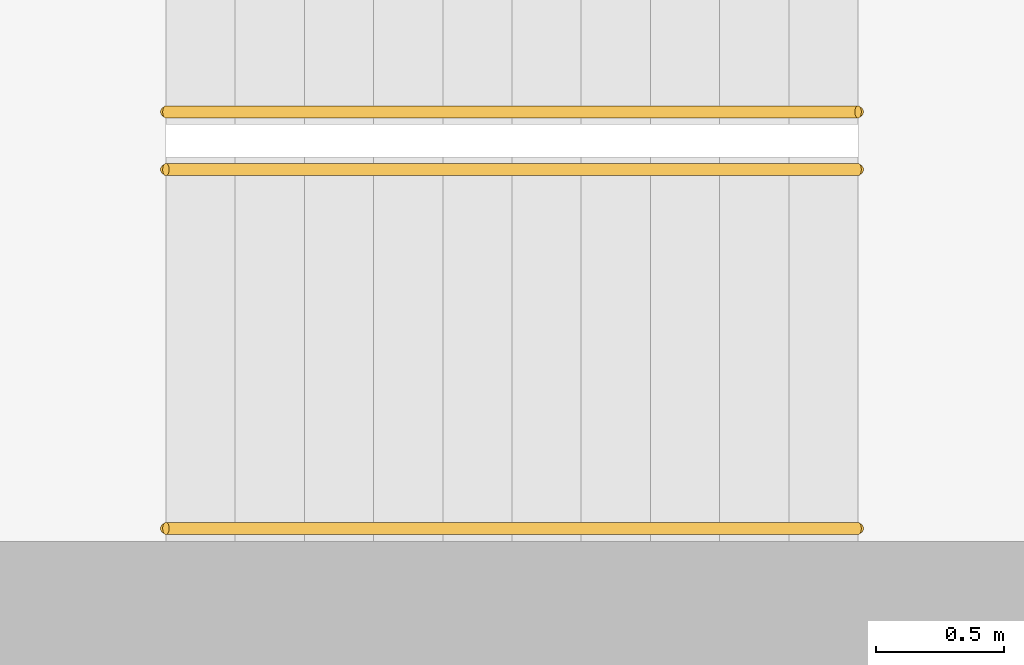
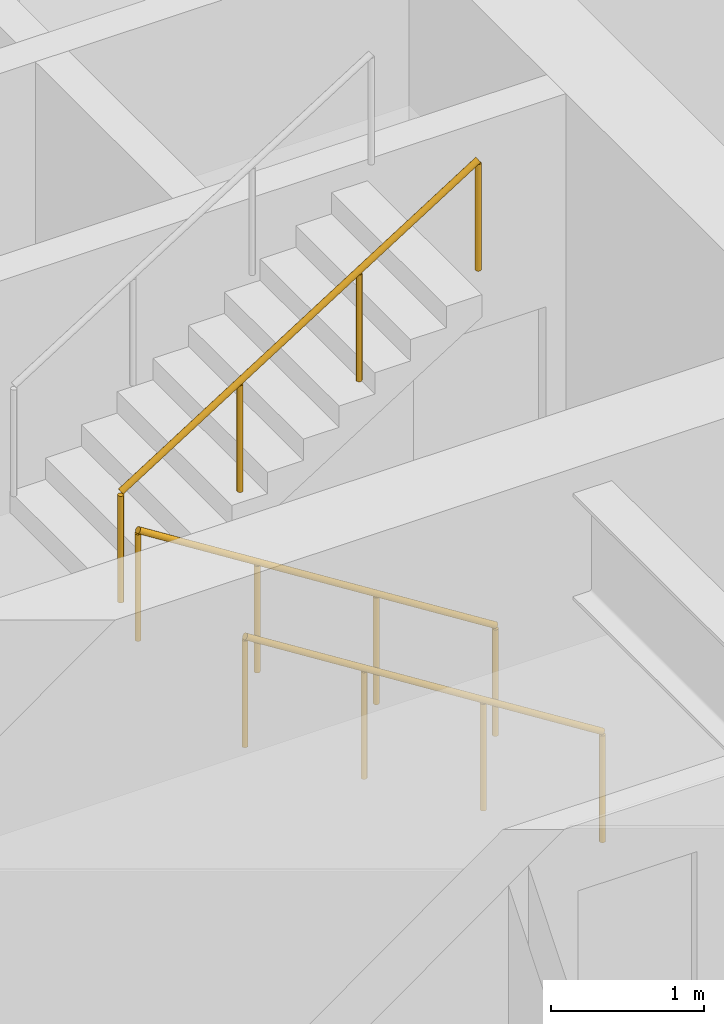
# One storey, part 14 of 17: 3 railings.
"""IFC4 building model written with IfcOpenShell, lengths in metres."""

from ifc_helpers import new_model, si_unit, direction, frame, origin, origin_2d, place, context, subcontext, project, spatial, circle, extrude, material, type_object, element, save


model = new_model("IFC4")

# Units and contexts
model_context = context("Model", 3, precision=1e-05, world=origin(), true_north=direction((0.0, 1.0)))
body_context = subcontext(model_context, "Body", "Model", "MODEL_VIEW")
ifc_project = project(units=[si_unit("LENGTHUNIT", "METRE"), si_unit("AREAUNIT", "SQUARE_METRE"), si_unit("VOLUMEUNIT", "CUBIC_METRE"), si_unit("PLANEANGLEUNIT", "RADIAN"), si_unit("MASSUNIT", "GRAM", prefix="KILO")], contexts=[model_context])

# Site, building, storey
site_placement = place(None, origin())
site = spatial("IfcSite", under=ifc_project, at=site_placement, CompositionType="ELEMENT")
building_placement = place(site_placement, origin())
building = spatial("IfcBuilding", under=site, at=building_placement, Name="Msasa Ring Tower", CompositionType="ELEMENT")
storey_placement = place(building_placement, frame((0.0, 0.0, 234.550048828125)))
storey = spatial("IfcBuildingStorey", under=building, at=storey_placement, Name="L61", CompositionType="ELEMENT", Elevation=234.550048828125)

# Railings
ifc_material = material(Name="Stainless steel", Category="steel")
railing_type = type_object("IfcRailingType", Name="HR1 HANDRAIL 900", PredefinedType="HANDRAIL", material=ifc_material)
for number, where, name in (
    (1, (-10.800048828125, -6.39990234375, 0.17041015625), "Handrail stair SWA L61 1"),
    (2, (-10.800048828125, -5.0, 0.17041015625), "Handrail stair SWA L61 2"),
):
    element("IfcRailing", number, at=place(storey_placement, frame(where)), inside=storey, type_object=railing_type, Name=name, PredefinedType="HANDRAIL", context=body_context, shape_type="SweptSolid", body=[
        extrude(circle(Radius=0.02392578125, at=origin_2d()), frame((0.0, 0.0, 0.8759765625), z_axis=(-0.845579735284, 0.0, 0.533849146555), x_axis=(0.0, -1.0, 0.0)), (0.0, 0.0, 1.0), 3.193115234375),
        extrude(circle(Radius=0.02099609375, at=origin_2d()), origin(), (0.0, 0.0, 1.0), 0.851806640625),
        extrude(circle(Radius=0.02099609375, at=origin_2d()), frame((-0.89990234375, 0.0, 0.568115234375)), (0.0, 0.0, 1.0), 0.851806640625),
        extrude(circle(Radius=0.02099609375, at=origin_2d()), frame((-1.800048828125, 0.0, 1.136474609375)), (0.0, 0.0, 1.0), 0.851806640625),
        extrude(circle(Radius=0.02099609375, at=origin_2d()), frame((-2.699951171875, 0.0, 1.70458984375)), (0.0, 0.0, 1.0), 0.851806640625),
    ])
railing_placement = place(storey_placement, frame((-13.5, -4.77490234375, 2.04541015625)))
element("IfcRailing", 3, at=railing_placement, inside=storey, type_object=railing_type, Name="Handrail stair SWA L61 3", PredefinedType="HANDRAIL", context=body_context, shape_type="SweptSolid", body=[
    extrude(circle(Radius=0.02392578125, at=origin_2d()), frame((0.0, 0.0, 0.8759765625), z_axis=(0.845579735284, 0.0, 0.533849146555), x_axis=(0.0, 1.0, 0.0)), (0.0, 0.0, 1.0), 3.193115234375),
    extrude(circle(Radius=0.02099609375, at=origin_2d()), origin(), (0.0, 0.0, 1.0), 0.851806640625),
    extrude(circle(Radius=0.02099609375, at=origin_2d()), frame((0.89990234375, 0.0, 0.568115234375)), (0.0, 0.0, 1.0), 0.851806640625),
    extrude(circle(Radius=0.02099609375, at=origin_2d()), frame((1.800048828125, 0.0, 1.136474609375)), (0.0, 0.0, 1.0), 0.851806640625),
    extrude(circle(Radius=0.02099609375, at=origin_2d()), frame((2.699951171875, 0.0, 1.70458984375)), (0.0, 0.0, 1.0), 0.851806640625),
])

save(model, "model.ifc")
